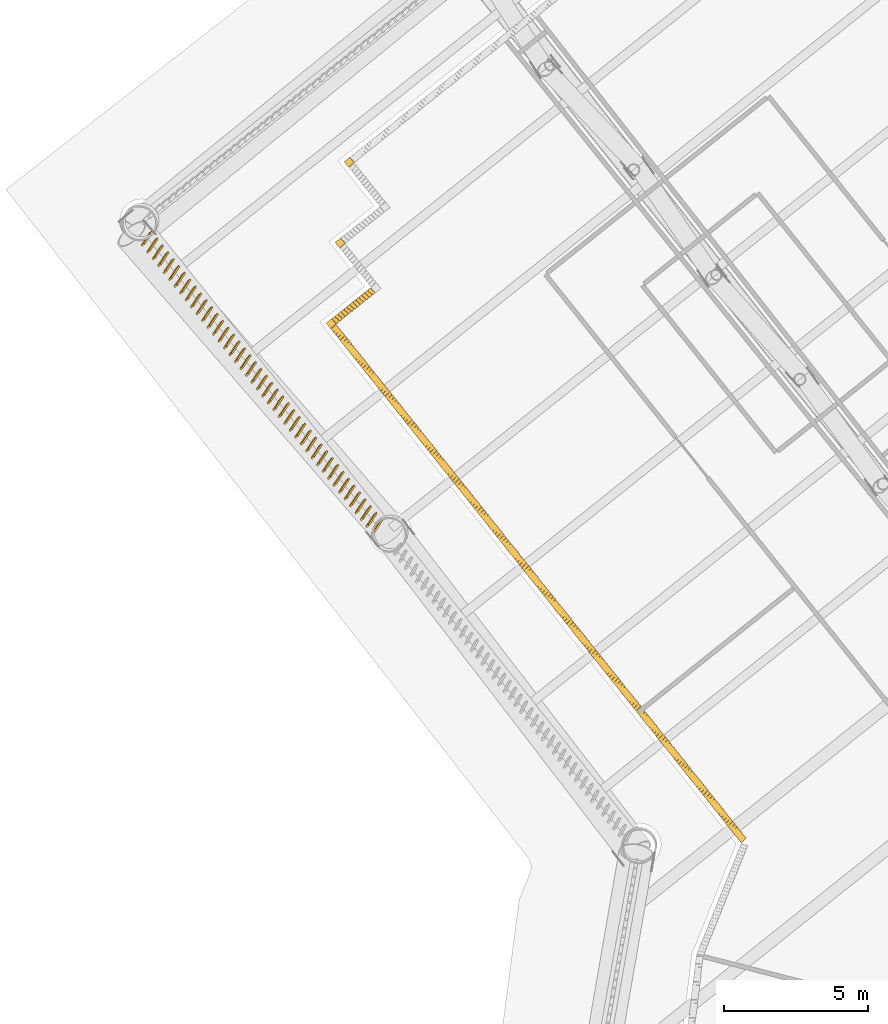
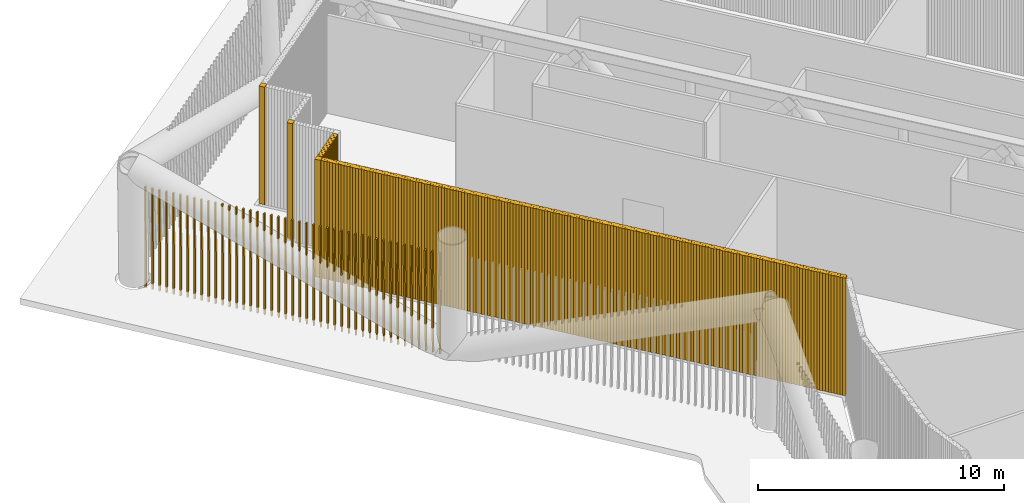
# One storey, part 44 of 48: 6 shading devices.
"""IFC4 building model written with IfcOpenShell, lengths in metres."""

from ifc_helpers import new_model, si_unit, direction, frame, frame_2d, origin, origin_2d, place, context, subcontext, project, spatial, rectangle, composite_profile, extrude, material, type_object, element, save


model = new_model("IFC4")

# Units and contexts
model_context = context("Model", 3, precision=1e-05, world=origin(), true_north=direction((0.0, 1.0)))
body_context = subcontext(model_context, "Body", "Model", "MODEL_VIEW")
ifc_project = project(units=[si_unit("LENGTHUNIT", "METRE"), si_unit("AREAUNIT", "SQUARE_METRE"), si_unit("VOLUMEUNIT", "CUBIC_METRE"), si_unit("PLANEANGLEUNIT", "RADIAN"), si_unit("MASSUNIT", "GRAM", prefix="KILO")], contexts=[model_context])

# Site, building, storey
site_placement = place(None, origin())
site = spatial("IfcSite", under=ifc_project, at=site_placement, CompositionType="ELEMENT")
building_placement = place(site_placement, origin())
building = spatial("IfcBuilding", under=site, at=building_placement, Name="Tarsis Ring Headquarters", CompositionType="ELEMENT")
storey_placement = place(building_placement, frame((0.0, 0.0, 34.0)))
storey = spatial("IfcBuildingStorey", under=building, at=storey_placement, Name="L06", CompositionType="ELEMENT", Elevation=34.0)

# Shading devices
ifc_material_1 = material(Name="Aluminium louvre", Category="aluminium")
shading_device_type_1 = type_object("IfcShadingDeviceType", Name="Plant louvre fin", PredefinedType="USERDEFINED", material=ifc_material_1)
shading_device_1_placement = place(storey_placement, frame((-37.822998046875, 28.345947265625, 0.0), z_axis=(0.0, 0.0, 1.0), x_axis=(0.623875001331, -0.781518601753, 0.0)))
element("IfcShadingDevice", 1, at=shading_device_1_placement, inside=storey, type_object=shading_device_type_1, Name="Louvre L06-01", ObjectType="Louvre", PredefinedType="USERDEFINED", context=body_context, shape_type="SweptSolid", body=[
    extrude(composite_profile([rectangle(XDim=0.1201171875, YDim=0.239990234375, at=frame_2d((0.076171875, 0.0), x_axis=(0.990268068742, 0.13917310096))), rectangle(XDim=0.1201171875, YDim=0.239990234375, at=frame_2d((0.201171875, 0.0), x_axis=(0.990268068742, 0.13917310096))), rectangle(XDim=0.1201171875, YDim=0.239990234375, at=frame_2d((0.326416015625, 0.0), x_axis=(0.990268068742, 0.13917310096))), rectangle(XDim=0.1201171875, YDim=0.239990234375, at=frame_2d((0.451416015625, 0.0), x_axis=(0.990268068742, 0.13917310096))), rectangle(XDim=0.1201171875, YDim=0.239990234375, at=frame_2d((0.57666015625, 0.0), x_axis=(0.990268068742, 0.13917310096))), rectangle(XDim=0.1201171875, YDim=0.239990234375, at=frame_2d((0.70166015625, 0.0), x_axis=(0.990268068742, 0.13917310096))), rectangle(XDim=0.1201171875, YDim=0.239990234375, at=frame_2d((0.826904296875, 0.0), x_axis=(0.990268068742, 0.13917310096))), rectangle(XDim=0.1201171875, YDim=0.239990234375, at=frame_2d((0.951904296875, 0.0), x_axis=(0.990268068742, 0.13917310096))), rectangle(XDim=0.1201171875, YDim=0.239990234375, at=frame_2d((1.0771484375, 0.0), x_axis=(0.990268068742, 0.13917310096))), rectangle(XDim=0.1201171875, YDim=0.239990234375, at=frame_2d((1.2021484375, 0.0), x_axis=(0.990268068742, 0.13917310096))), rectangle(XDim=0.1201171875, YDim=0.239990234375, at=frame_2d((1.3271484375, 0.0), x_axis=(0.990268068742, 0.13917310096))), rectangle(XDim=0.1201171875, YDim=0.239990234375, at=frame_2d((1.452392578125, 0.0), x_axis=(0.990268068742, 0.13917310096))), rectangle(XDim=0.1201171875, YDim=0.239990234375, at=frame_2d((1.577392578125, 0.0), x_axis=(0.990268068742, 0.13917310096))), rectangle(XDim=0.1201171875, YDim=0.239990234375, at=frame_2d((1.70263671875, 0.0), x_axis=(0.990268068742, 0.13917310096))), rectangle(XDim=0.1201171875, YDim=0.239990234375, at=frame_2d((1.82763671875, 0.0), x_axis=(0.990268068742, 0.13917310096))), rectangle(XDim=0.1201171875, YDim=0.239990234375, at=frame_2d((1.952880859375, 0.0), x_axis=(0.990268068742, 0.13917310096))), rectangle(XDim=0.1201171875, YDim=0.239990234375, at=frame_2d((2.077880859375, 0.0), x_axis=(0.990268068742, 0.13917310096))), rectangle(XDim=0.1201171875, YDim=0.239990234375, at=frame_2d((2.203125, 0.0), x_axis=(0.990268068742, 0.13917310096))), rectangle(XDim=0.1201171875, YDim=0.239990234375, at=frame_2d((2.328125, 0.0), x_axis=(0.990268068742, 0.13917310096))), rectangle(XDim=0.1201171875, YDim=0.239990234375, at=frame_2d((2.453125, 0.0), x_axis=(0.990268068742, 0.13917310096))), rectangle(XDim=0.1201171875, YDim=0.239990234375, at=frame_2d((2.578369140625, 0.0), x_axis=(0.990268068742, 0.13917310096))), rectangle(XDim=0.1201171875, YDim=0.239990234375, at=frame_2d((2.703369140625, 0.0), x_axis=(0.990268068742, 0.13917310096))), rectangle(XDim=0.1201171875, YDim=0.239990234375, at=frame_2d((2.82861328125, 0.0), x_axis=(0.990268068742, 0.13917310096))), rectangle(XDim=0.1201171875, YDim=0.239990234375, at=frame_2d((2.95361328125, 0.0), x_axis=(0.990268068742, 0.13917310096))), rectangle(XDim=0.1201171875, YDim=0.239990234375, at=frame_2d((3.078857421875, 0.0), x_axis=(0.990268068742, 0.13917310096))), rectangle(XDim=0.1201171875, YDim=0.239990234375, at=frame_2d((3.203857421875, 0.0), x_axis=(0.990268068742, 0.13917310096))), rectangle(XDim=0.1201171875, YDim=0.239990234375, at=frame_2d((3.3291015625, 0.0), x_axis=(0.990268068742, 0.13917310096))), rectangle(XDim=0.1201171875, YDim=0.239990234375, at=frame_2d((3.4541015625, 0.0), x_axis=(0.990268068742, 0.13917310096))), rectangle(XDim=0.1201171875, YDim=0.239990234375, at=frame_2d((3.5791015625, 0.0), x_axis=(0.990268068742, 0.13917310096))), rectangle(XDim=0.1201171875, YDim=0.239990234375, at=frame_2d((3.704345703125, 0.0), x_axis=(0.990268068742, 0.13917310096))), rectangle(XDim=0.1201171875, YDim=0.239990234375, at=frame_2d((3.829345703125, 0.0), x_axis=(0.990268068742, 0.13917310096))), rectangle(XDim=0.1201171875, YDim=0.239990234375, at=frame_2d((3.95458984375, 0.0), x_axis=(0.990268068742, 0.13917310096))), rectangle(XDim=0.1201171875, YDim=0.239990234375, at=frame_2d((4.07958984375, 0.0), x_axis=(0.990268068742, 0.13917310096))), rectangle(XDim=0.1201171875, YDim=0.239990234375, at=frame_2d((4.204833984375, 0.0), x_axis=(0.990268068742, 0.13917310096))), rectangle(XDim=0.1201171875, YDim=0.239990234375, at=frame_2d((4.329833984375, 0.0), x_axis=(0.990268068742, 0.13917310096))), rectangle(XDim=0.1201171875, YDim=0.239990234375, at=frame_2d((4.455078125, 0.0), x_axis=(0.990268068742, 0.13917310096))), rectangle(XDim=0.1201171875, YDim=0.239990234375, at=frame_2d((4.580078125, 0.0), x_axis=(0.990268068742, 0.13917310096))), rectangle(XDim=0.1201171875, YDim=0.239990234375, at=frame_2d((4.705078125, 0.0), x_axis=(0.990268068742, 0.13917310096))), rectangle(XDim=0.1201171875, YDim=0.239990234375, at=frame_2d((4.830322265625, 0.0), x_axis=(0.990268068742, 0.13917310096))), rectangle(XDim=0.1201171875, YDim=0.239990234375, at=frame_2d((4.955322265625, 0.0), x_axis=(0.990268068742, 0.13917310096))), rectangle(XDim=0.1201171875, YDim=0.239990234375, at=frame_2d((5.08056640625, 0.0), x_axis=(0.990268068742, 0.13917310096))), rectangle(XDim=0.1201171875, YDim=0.239990234375, at=frame_2d((5.20556640625, 0.0), x_axis=(0.990268068742, 0.13917310096))), rectangle(XDim=0.1201171875, YDim=0.239990234375, at=frame_2d((5.330810546875, 0.0), x_axis=(0.990268068742, 0.13917310096))), rectangle(XDim=0.1201171875, YDim=0.239990234375, at=frame_2d((5.455810546875, 0.0), x_axis=(0.990268068742, 0.13917310096))), rectangle(XDim=0.1201171875, YDim=0.239990234375, at=frame_2d((5.5810546875, 0.0), x_axis=(0.990268068742, 0.13917310096))), rectangle(XDim=0.1201171875, YDim=0.239990234375, at=frame_2d((5.7060546875, 0.0), x_axis=(0.990268068742, 0.13917310096))), rectangle(XDim=0.1201171875, YDim=0.239990234375, at=frame_2d((5.8310546875, 0.0), x_axis=(0.990268068742, 0.13917310096))), rectangle(XDim=0.1201171875, YDim=0.239990234375, at=frame_2d((5.956298828125, 0.0), x_axis=(0.990268068742, 0.13917310096))), rectangle(XDim=0.1201171875, YDim=0.239990234375, at=frame_2d((6.081298828125, 0.0), x_axis=(0.990268068742, 0.13917310096))), rectangle(XDim=0.1201171875, YDim=0.239990234375, at=frame_2d((6.20654296875, 0.0), x_axis=(0.990268068742, 0.13917310096))), rectangle(XDim=0.1201171875, YDim=0.239990234375, at=frame_2d((6.33154296875, 0.0), x_axis=(0.990268068742, 0.13917310096))), rectangle(XDim=0.1201171875, YDim=0.239990234375, at=frame_2d((6.456787109375, 0.0), x_axis=(0.990268068742, 0.13917310096))), rectangle(XDim=0.1201171875, YDim=0.239990234375, at=frame_2d((6.581787109375, 0.0), x_axis=(0.990268068742, 0.13917310096))), rectangle(XDim=0.1201171875, YDim=0.239990234375, at=frame_2d((6.70703125, 0.0), x_axis=(0.990268068742, 0.13917310096))), rectangle(XDim=0.1201171875, YDim=0.239990234375, at=frame_2d((6.83203125, 0.0), x_axis=(0.990268068742, 0.13917310096))), rectangle(XDim=0.1201171875, YDim=0.239990234375, at=frame_2d((6.95703125, 0.0), x_axis=(0.990268068742, 0.13917310096))), rectangle(XDim=0.1201171875, YDim=0.239990234375, at=frame_2d((7.082275390625, 0.0), x_axis=(0.990268068742, 0.13917310096))), rectangle(XDim=0.1201171875, YDim=0.239990234375, at=frame_2d((7.207275390625, 0.0), x_axis=(0.990268068742, 0.13917310096))), rectangle(XDim=0.1201171875, YDim=0.239990234375, at=frame_2d((7.33251953125, 0.0), x_axis=(0.990268068742, 0.13917310096))), rectangle(XDim=0.1201171875, YDim=0.239990234375, at=frame_2d((7.45751953125, 0.0), x_axis=(0.990268068742, 0.13917310096))), rectangle(XDim=0.1201171875, YDim=0.239990234375, at=frame_2d((7.582763671875, 0.0), x_axis=(0.990268068742, 0.13917310096))), rectangle(XDim=0.1201171875, YDim=0.239990234375, at=frame_2d((7.707763671875, 0.0), x_axis=(0.990268068742, 0.13917310096))), rectangle(XDim=0.1201171875, YDim=0.239990234375, at=frame_2d((7.8330078125, 0.0), x_axis=(0.990268068742, 0.13917310096))), rectangle(XDim=0.1201171875, YDim=0.239990234375, at=frame_2d((7.9580078125, 0.0), x_axis=(0.990268068742, 0.13917310096))), rectangle(XDim=0.1201171875, YDim=0.239990234375, at=frame_2d((8.0830078125, 0.0), x_axis=(0.990268068742, 0.13917310096))), rectangle(XDim=0.1201171875, YDim=0.239990234375, at=frame_2d((8.208251953125, 0.0), x_axis=(0.990268068742, 0.13917310096))), rectangle(XDim=0.1201171875, YDim=0.239990234375, at=frame_2d((8.333251953125, 0.0), x_axis=(0.990268068742, 0.13917310096))), rectangle(XDim=0.1201171875, YDim=0.239990234375, at=frame_2d((8.45849609375, 0.0), x_axis=(0.990268068742, 0.13917310096))), rectangle(XDim=0.1201171875, YDim=0.239990234375, at=frame_2d((8.58349609375, 0.0), x_axis=(0.990268068742, 0.13917310096))), rectangle(XDim=0.1201171875, YDim=0.239990234375, at=frame_2d((8.708740234375, 0.0), x_axis=(0.990268068742, 0.13917310096))), rectangle(XDim=0.1201171875, YDim=0.239990234375, at=frame_2d((8.833740234375, 0.0), x_axis=(0.990268068742, 0.13917310096))), rectangle(XDim=0.1201171875, YDim=0.239990234375, at=frame_2d((8.958984375, 0.0), x_axis=(0.990268068742, 0.13917310096))), rectangle(XDim=0.1201171875, YDim=0.239990234375, at=frame_2d((9.083984375, 0.0), x_axis=(0.990268068742, 0.13917310096))), rectangle(XDim=0.1201171875, YDim=0.239990234375, at=frame_2d((9.208984375, 0.0), x_axis=(0.990268068742, 0.13917310096))), rectangle(XDim=0.1201171875, YDim=0.239990234375, at=frame_2d((9.334228515625, 0.0), x_axis=(0.990268068742, 0.13917310096))), rectangle(XDim=0.1201171875, YDim=0.239990234375, at=frame_2d((9.459228515625, 0.0), x_axis=(0.990268068742, 0.13917310096))), rectangle(XDim=0.1201171875, YDim=0.239990234375, at=frame_2d((9.58447265625, 0.0), x_axis=(0.990268068742, 0.13917310096))), rectangle(XDim=0.1201171875, YDim=0.239990234375, at=frame_2d((9.70947265625, 0.0), x_axis=(0.990268068742, 0.13917310096))), rectangle(XDim=0.1201171875, YDim=0.239990234375, at=frame_2d((9.834716796875, 0.0), x_axis=(0.990268068742, 0.13917310096))), rectangle(XDim=0.1201171875, YDim=0.239990234375, at=frame_2d((9.959716796875, 0.0), x_axis=(0.990268068742, 0.13917310096))), rectangle(XDim=0.1201171875, YDim=0.239990234375, at=frame_2d((10.0849609375, 0.0), x_axis=(0.990268068742, 0.13917310096))), rectangle(XDim=0.1201171875, YDim=0.239990234375, at=frame_2d((10.2099609375, 0.0), x_axis=(0.990268068742, 0.13917310096))), rectangle(XDim=0.1201171875, YDim=0.239990234375, at=frame_2d((10.3349609375, 0.0), x_axis=(0.990268068742, 0.13917310096))), rectangle(XDim=0.1201171875, YDim=0.239990234375, at=frame_2d((10.460205078125, 0.0), x_axis=(0.990268068742, 0.13917310096))), rectangle(XDim=0.1201171875, YDim=0.239990234375, at=frame_2d((10.585205078125, 0.0), x_axis=(0.990268068742, 0.13917310096))), rectangle(XDim=0.1201171875, YDim=0.239990234375, at=frame_2d((10.71044921875, 0.0), x_axis=(0.990268068742, 0.13917310096))), rectangle(XDim=0.1201171875, YDim=0.239990234375, at=frame_2d((10.83544921875, 0.0), x_axis=(0.990268068742, 0.13917310096))), rectangle(XDim=0.1201171875, YDim=0.239990234375, at=frame_2d((10.960693359375, 0.0), x_axis=(0.990268068742, 0.13917310096))), rectangle(XDim=0.1201171875, YDim=0.239990234375, at=frame_2d((11.085693359375, 0.0), x_axis=(0.990268068742, 0.13917310096))), rectangle(XDim=0.1201171875, YDim=0.239990234375, at=frame_2d((11.2109375, 0.0), x_axis=(0.990268068742, 0.13917310096))), rectangle(XDim=0.1201171875, YDim=0.239990234375, at=frame_2d((11.3359375, 0.0), x_axis=(0.990268068742, 0.13917310096))), rectangle(XDim=0.1201171875, YDim=0.239990234375, at=frame_2d((11.4609375, 0.0), x_axis=(0.990268068742, 0.13917310096))), rectangle(XDim=0.1201171875, YDim=0.239990234375, at=frame_2d((11.586181640625, 0.0), x_axis=(0.990268068742, 0.13917310096))), rectangle(XDim=0.1201171875, YDim=0.239990234375, at=frame_2d((11.711181640625, 0.0), x_axis=(0.990268068742, 0.13917310096))), rectangle(XDim=0.1201171875, YDim=0.239990234375, at=frame_2d((11.83642578125, 0.0), x_axis=(0.990268068742, 0.13917310096))), rectangle(XDim=0.1201171875, YDim=0.239990234375, at=frame_2d((11.96142578125, 0.0), x_axis=(0.990268068742, 0.13917310096))), rectangle(XDim=0.1201171875, YDim=0.239990234375, at=frame_2d((12.086669921875, 0.0), x_axis=(0.990268068742, 0.13917310096))), rectangle(XDim=0.1201171875, YDim=0.239990234375, at=frame_2d((12.211669921875, 0.0), x_axis=(0.990268068742, 0.13917310096))), rectangle(XDim=0.1201171875, YDim=0.239990234375, at=frame_2d((12.3369140625, 0.0), x_axis=(0.990268068742, 0.13917310096))), rectangle(XDim=0.1201171875, YDim=0.239990234375, at=frame_2d((12.4619140625, 0.0), x_axis=(0.990268068742, 0.13917310096))), rectangle(XDim=0.1201171875, YDim=0.239990234375, at=frame_2d((12.587158203125, 0.0), x_axis=(0.990268068742, 0.13917310096))), rectangle(XDim=0.1201171875, YDim=0.239990234375, at=frame_2d((12.712158203125, 0.0), x_axis=(0.990268068742, 0.13917310096))), rectangle(XDim=0.1201171875, YDim=0.239990234375, at=frame_2d((12.837158203125, 0.0), x_axis=(0.990268068742, 0.13917310096))), rectangle(XDim=0.1201171875, YDim=0.239990234375, at=frame_2d((12.96240234375, 0.0), x_axis=(0.990268068742, 0.13917310096))), rectangle(XDim=0.1201171875, YDim=0.239990234375, at=frame_2d((13.08740234375, 0.0), x_axis=(0.990268068742, 0.13917310096))), rectangle(XDim=0.1201171875, YDim=0.239990234375, at=frame_2d((13.212646484375, 0.0), x_axis=(0.990268068742, 0.13917310096))), rectangle(XDim=0.1201171875, YDim=0.239990234375, at=frame_2d((13.337646484375, 0.0), x_axis=(0.990268068742, 0.13917310096))), rectangle(XDim=0.1201171875, YDim=0.239990234375, at=frame_2d((13.462890625, 0.0), x_axis=(0.990268068742, 0.13917310096))), rectangle(XDim=0.1201171875, YDim=0.239990234375, at=frame_2d((13.587890625, 0.0), x_axis=(0.990268068742, 0.13917310096))), rectangle(XDim=0.1201171875, YDim=0.239990234375, at=frame_2d((13.713134765625, 0.0), x_axis=(0.990268068742, 0.13917310096))), rectangle(XDim=0.1201171875, YDim=0.239990234375, at=frame_2d((13.838134765625, 0.0), x_axis=(0.990268068742, 0.13917310096))), rectangle(XDim=0.1201171875, YDim=0.239990234375, at=frame_2d((13.963134765625, 0.0), x_axis=(0.990268068742, 0.13917310096))), rectangle(XDim=0.1201171875, YDim=0.239990234375, at=frame_2d((14.08837890625, 0.0), x_axis=(0.990268068742, 0.13917310096))), rectangle(XDim=0.1201171875, YDim=0.239990234375, at=frame_2d((14.21337890625, 0.0), x_axis=(0.990268068742, 0.13917310096))), rectangle(XDim=0.1201171875, YDim=0.239990234375, at=frame_2d((14.338623046875, 0.0), x_axis=(0.990268068742, 0.13917310096))), rectangle(XDim=0.1201171875, YDim=0.239990234375, at=frame_2d((14.463623046875, 0.0), x_axis=(0.990268068742, 0.13917310096))), rectangle(XDim=0.1201171875, YDim=0.239990234375, at=frame_2d((14.5888671875, 0.0), x_axis=(0.990268068742, 0.13917310096))), rectangle(XDim=0.1201171875, YDim=0.239990234375, at=frame_2d((14.7138671875, 0.0), x_axis=(0.990268068742, 0.13917310096))), rectangle(XDim=0.1201171875, YDim=0.239990234375, at=frame_2d((14.839111328125, 0.0), x_axis=(0.990268068742, 0.13917310096))), rectangle(XDim=0.1201171875, YDim=0.239990234375, at=frame_2d((14.964111328125, 0.0), x_axis=(0.990268068742, 0.13917310096))), rectangle(XDim=0.1201171875, YDim=0.239990234375, at=frame_2d((15.089111328125, 0.0), x_axis=(0.990268068742, 0.13917310096))), rectangle(XDim=0.1201171875, YDim=0.239990234375, at=frame_2d((15.21435546875, 0.0), x_axis=(0.990268068742, 0.13917310096))), rectangle(XDim=0.1201171875, YDim=0.239990234375, at=frame_2d((15.33935546875, 0.0), x_axis=(0.990268068742, 0.13917310096))), rectangle(XDim=0.1201171875, YDim=0.239990234375, at=frame_2d((15.464599609375, 0.0), x_axis=(0.990268068742, 0.13917310096))), rectangle(XDim=0.1201171875, YDim=0.239990234375, at=frame_2d((15.589599609375, 0.0), x_axis=(0.990268068742, 0.13917310096))), rectangle(XDim=0.1201171875, YDim=0.239990234375, at=frame_2d((15.71484375, 0.0), x_axis=(0.990268068742, 0.13917310096))), rectangle(XDim=0.1201171875, YDim=0.239990234375, at=frame_2d((15.83984375, 0.0), x_axis=(0.990268068742, 0.13917310096))), rectangle(XDim=0.1201171875, YDim=0.239990234375, at=frame_2d((15.965087890625, 0.0), x_axis=(0.990268068742, 0.13917310096))), rectangle(XDim=0.1201171875, YDim=0.239990234375, at=frame_2d((16.090087890625, 0.0), x_axis=(0.990268068742, 0.13917310096))), rectangle(XDim=0.1201171875, YDim=0.239990234375, at=frame_2d((16.215087890625, 0.0), x_axis=(0.990268068742, 0.13917310096))), rectangle(XDim=0.1201171875, YDim=0.239990234375, at=frame_2d((16.34033203125, 0.0), x_axis=(0.990268068742, 0.13917310096))), rectangle(XDim=0.1201171875, YDim=0.239990234375, at=frame_2d((16.46533203125, 0.0), x_axis=(0.990268068742, 0.13917310096))), rectangle(XDim=0.1201171875, YDim=0.239990234375, at=frame_2d((16.590576171875, 0.0), x_axis=(0.990268068742, 0.13917310096))), rectangle(XDim=0.1201171875, YDim=0.239990234375, at=frame_2d((16.715576171875, 0.0), x_axis=(0.990268068742, 0.13917310096))), rectangle(XDim=0.1201171875, YDim=0.239990234375, at=frame_2d((16.8408203125, 0.0), x_axis=(0.990268068742, 0.13917310096))), rectangle(XDim=0.1201171875, YDim=0.239990234375, at=frame_2d((16.9658203125, 0.0), x_axis=(0.990268068742, 0.13917310096))), rectangle(XDim=0.1201171875, YDim=0.239990234375, at=frame_2d((17.091064453125, 0.0), x_axis=(0.990268068742, 0.13917310096))), rectangle(XDim=0.1201171875, YDim=0.239990234375, at=frame_2d((17.216064453125, 0.0), x_axis=(0.990268068742, 0.13917310096))), rectangle(XDim=0.1201171875, YDim=0.239990234375, at=frame_2d((17.341064453125, 0.0), x_axis=(0.990268068742, 0.13917310096))), rectangle(XDim=0.1201171875, YDim=0.239990234375, at=frame_2d((17.46630859375, 0.0), x_axis=(0.990268068742, 0.13917310096))), rectangle(XDim=0.1201171875, YDim=0.239990234375, at=frame_2d((17.59130859375, 0.0), x_axis=(0.990268068742, 0.13917310096))), rectangle(XDim=0.1201171875, YDim=0.239990234375, at=frame_2d((17.716552734375, 0.0), x_axis=(0.990268068742, 0.13917310096))), rectangle(XDim=0.1201171875, YDim=0.239990234375, at=frame_2d((17.841552734375, 0.0), x_axis=(0.990268068742, 0.13917310096))), rectangle(XDim=0.1201171875, YDim=0.239990234375, at=frame_2d((17.966796875, 0.0), x_axis=(0.990268068742, 0.13917310096))), rectangle(XDim=0.1201171875, YDim=0.239990234375, at=frame_2d((18.091796875, 0.0), x_axis=(0.990268068742, 0.13917310096))), rectangle(XDim=0.1201171875, YDim=0.239990234375, at=frame_2d((18.217041015625, 0.0), x_axis=(0.990268068742, 0.13917310096))), rectangle(XDim=0.1201171875, YDim=0.239990234375, at=frame_2d((18.342041015625, 0.0), x_axis=(0.990268068742, 0.13917310096))), rectangle(XDim=0.1201171875, YDim=0.239990234375, at=frame_2d((18.467041015625, 0.0), x_axis=(0.990268068742, 0.13917310096))), rectangle(XDim=0.1201171875, YDim=0.239990234375, at=frame_2d((18.59228515625, 0.0), x_axis=(0.990268068742, 0.13917310096))), rectangle(XDim=0.1201171875, YDim=0.239990234375, at=frame_2d((18.71728515625, 0.0), x_axis=(0.990268068742, 0.13917310096))), rectangle(XDim=0.1201171875, YDim=0.239990234375, at=frame_2d((18.842529296875, 0.0), x_axis=(0.990268068742, 0.13917310096))), rectangle(XDim=0.1201171875, YDim=0.239990234375, at=frame_2d((18.967529296875, 0.0), x_axis=(0.990268068742, 0.13917310096))), rectangle(XDim=0.1201171875, YDim=0.239990234375, at=frame_2d((19.0927734375, 0.0), x_axis=(0.990268068742, 0.13917310096))), rectangle(XDim=0.1201171875, YDim=0.239990234375, at=frame_2d((19.2177734375, 0.0), x_axis=(0.990268068742, 0.13917310096))), rectangle(XDim=0.1201171875, YDim=0.239990234375, at=frame_2d((19.343017578125, 0.0), x_axis=(0.990268068742, 0.13917310096))), rectangle(XDim=0.1201171875, YDim=0.239990234375, at=frame_2d((19.468017578125, 0.0), x_axis=(0.990268068742, 0.13917310096))), rectangle(XDim=0.1201171875, YDim=0.239990234375, at=frame_2d((19.593017578125, 0.0), x_axis=(0.990268068742, 0.13917310096))), rectangle(XDim=0.1201171875, YDim=0.239990234375, at=frame_2d((19.71826171875, 0.0), x_axis=(0.990268068742, 0.13917310096))), rectangle(XDim=0.1201171875, YDim=0.239990234375, at=frame_2d((19.84326171875, 0.0), x_axis=(0.990268068742, 0.13917310096))), rectangle(XDim=0.1201171875, YDim=0.239990234375, at=frame_2d((19.968505859375, 0.0), x_axis=(0.990268068742, 0.13917310096))), rectangle(XDim=0.1201171875, YDim=0.239990234375, at=frame_2d((20.093505859375, 0.0), x_axis=(0.990268068742, 0.13917310096))), rectangle(XDim=0.1201171875, YDim=0.239990234375, at=frame_2d((20.21875, 0.0), x_axis=(0.990268068742, 0.13917310096))), rectangle(XDim=0.1201171875, YDim=0.239990234375, at=frame_2d((20.34375, 0.0), x_axis=(0.990268068742, 0.13917310096))), rectangle(XDim=0.1201171875, YDim=0.239990234375, at=frame_2d((20.468994140625, 0.0), x_axis=(0.990268068742, 0.13917310096))), rectangle(XDim=0.1201171875, YDim=0.239990234375, at=frame_2d((20.593994140625, 0.0), x_axis=(0.990268068742, 0.13917310096))), rectangle(XDim=0.1201171875, YDim=0.239990234375, at=frame_2d((20.718994140625, 0.0), x_axis=(0.990268068742, 0.13917310096))), rectangle(XDim=0.1201171875, YDim=0.239990234375, at=frame_2d((20.84423828125, 0.0), x_axis=(0.990268068742, 0.13917310096))), rectangle(XDim=0.1201171875, YDim=0.239990234375, at=frame_2d((20.96923828125, 0.0), x_axis=(0.990268068742, 0.13917310096))), rectangle(XDim=0.1201171875, YDim=0.239990234375, at=frame_2d((21.094482421875, 0.0), x_axis=(0.990268068742, 0.13917310096))), rectangle(XDim=0.1201171875, YDim=0.239990234375, at=frame_2d((21.219482421875, 0.0), x_axis=(0.990268068742, 0.13917310096))), rectangle(XDim=0.1201171875, YDim=0.239990234375, at=frame_2d((21.3447265625, 0.0), x_axis=(0.990268068742, 0.13917310096))), rectangle(XDim=0.1201171875, YDim=0.239990234375, at=frame_2d((21.4697265625, 0.0), x_axis=(0.990268068742, 0.13917310096))), rectangle(XDim=0.1201171875, YDim=0.239990234375, at=frame_2d((21.594970703125, 0.0), x_axis=(0.990268068742, 0.13917310096))), rectangle(XDim=0.1201171875, YDim=0.239990234375, at=frame_2d((21.719970703125, 0.0), x_axis=(0.990268068742, 0.13917310096))), rectangle(XDim=0.1201171875, YDim=0.239990234375, at=frame_2d((21.844970703125, 0.0), x_axis=(0.990268068742, 0.13917310096))), rectangle(XDim=0.1201171875, YDim=0.239990234375, at=frame_2d((21.97021484375, 0.0), x_axis=(0.990268068742, 0.13917310096))), rectangle(XDim=0.1201171875, YDim=0.239990234375, at=frame_2d((22.09521484375, 0.0), x_axis=(0.990268068742, 0.13917310096))), rectangle(XDim=0.1201171875, YDim=0.239990234375, at=frame_2d((22.220458984375, 0.0), x_axis=(0.990268068742, 0.13917310096))), rectangle(XDim=0.1201171875, YDim=0.239990234375, at=frame_2d((22.345458984375, 0.0), x_axis=(0.990268068742, 0.13917310096))), rectangle(XDim=0.1201171875, YDim=0.239990234375, at=frame_2d((22.470703125, 0.0), x_axis=(0.990268068742, 0.13917310096))), rectangle(XDim=0.1201171875, YDim=0.239990234375, at=frame_2d((22.595703125, 0.0), x_axis=(0.990268068742, 0.13917310096))), rectangle(XDim=0.1201171875, YDim=0.239990234375, at=frame_2d((22.720947265625, 0.0), x_axis=(0.990268068742, 0.13917310096))), rectangle(XDim=0.1201171875, YDim=0.239990234375, at=frame_2d((22.845947265625, 0.0), x_axis=(0.990268068742, 0.13917310096)))]), origin(), (0.0, 0.0, 1.0), 5.840087890625),
])
shading_device_2_placement = place(storey_placement, frame((-36.435791015625, 29.613525390625, 0.0), z_axis=(0.0, 0.0, 1.0), x_axis=(-0.781498534952, -0.623970978094, 0.0)))
element("IfcShadingDevice", 2, at=shading_device_2_placement, inside=storey, type_object=shading_device_type_1, Name="Louvre L06-40", ObjectType="Louvre", PredefinedType="USERDEFINED", context=body_context, shape_type="SweptSolid", body=[
    extrude(composite_profile([rectangle(XDim=0.1201171875, YDim=0.239990234375, at=frame_2d((0.078125, 0.0), x_axis=(0.987688340595, 0.15643446504))), rectangle(XDim=0.1201171875, YDim=0.239990234375, at=frame_2d((0.2109375, 0.0), x_axis=(0.987688340595, 0.15643446504))), rectangle(XDim=0.1201171875, YDim=0.239990234375, at=frame_2d((0.34375, 0.0), x_axis=(0.987688340595, 0.15643446504))), rectangle(XDim=0.1201171875, YDim=0.239990234375, at=frame_2d((0.4765625, 0.0), x_axis=(0.987688340595, 0.15643446504))), rectangle(XDim=0.1201171875, YDim=0.239990234375, at=frame_2d((0.609375, 0.0), x_axis=(0.987688340595, 0.15643446504))), rectangle(XDim=0.1201171875, YDim=0.239990234375, at=frame_2d((0.7421875, 0.0), x_axis=(0.987688340595, 0.15643446504))), rectangle(XDim=0.1201171875, YDim=0.239990234375, at=frame_2d((0.875, 0.0), x_axis=(0.987688340595, 0.15643446504))), rectangle(XDim=0.1201171875, YDim=0.239990234375, at=frame_2d((1.0078125, 0.0), x_axis=(0.987688340595, 0.15643446504))), rectangle(XDim=0.1201171875, YDim=0.239990234375, at=frame_2d((1.140625, 0.0), x_axis=(0.987688340595, 0.15643446504))), rectangle(XDim=0.1201171875, YDim=0.239990234375, at=frame_2d((1.2734375, 0.0), x_axis=(0.987688340595, 0.15643446504))), rectangle(XDim=0.1201171875, YDim=0.239990234375, at=frame_2d((1.40625, 0.0), x_axis=(0.987688340595, 0.15643446504))), rectangle(XDim=0.1201171875, YDim=0.239990234375, at=frame_2d((1.5390625, 0.0), x_axis=(0.987688340595, 0.15643446504))), rectangle(XDim=0.1201171875, YDim=0.239990234375, at=frame_2d((1.671875, 0.0), x_axis=(0.987688340595, 0.15643446504)))]), origin(), (0.0, 0.0, 1.0), 5.840087890625),
])
ifc_material_2 = material(Name="Terracotta baguette", Category="masonry")
shading_device_type_2 = type_object("IfcShadingDeviceType", Name="Terracotta baguette screen", PredefinedType="USERDEFINED", material=ifc_material_2)
shading_device_3_placement = place(storey_placement, frame((-44.1953125, 31.64013671875, -0.300048828125), z_axis=(0.0, 0.0, 1.0), x_axis=(0.623864668483, -0.781524371783, 0.0)))
element("IfcShadingDevice", 3, at=shading_device_3_placement, inside=storey, type_object=shading_device_type_2, Name="Baguette screen L06-19", ObjectType="Terracotta baguette screen", PredefinedType="USERDEFINED", context=body_context, shape_type="SweptSolid", body=[
    extrude(composite_profile([rectangle(XDim=0.06005859375, YDim=0.1201171875, at=frame_2d((0.030029296875, 0.0))), rectangle(XDim=0.06005859375, YDim=0.1201171875, at=frame_2d((0.335693359375, 0.0))), rectangle(XDim=0.06005859375, YDim=0.1201171875, at=frame_2d((0.6416015625, 0.0))), rectangle(XDim=0.06005859375, YDim=0.1201171875, at=frame_2d((0.947265625, 0.0))), rectangle(XDim=0.06005859375, YDim=0.1201171875, at=frame_2d((1.253173828125, 0.0))), rectangle(XDim=0.06005859375, YDim=0.1201171875, at=frame_2d((1.558837890625, 0.0))), rectangle(XDim=0.06005859375, YDim=0.1201171875, at=frame_2d((1.864501953125, 0.0))), rectangle(XDim=0.06005859375, YDim=0.1201171875, at=frame_2d((2.17041015625, 0.0))), rectangle(XDim=0.06005859375, YDim=0.1201171875, at=frame_2d((2.47607421875, 0.0))), rectangle(XDim=0.06005859375, YDim=0.1201171875, at=frame_2d((2.781982421875, 0.0))), rectangle(XDim=0.06005859375, YDim=0.1201171875, at=frame_2d((3.087646484375, 0.0))), rectangle(XDim=0.06005859375, YDim=0.1201171875, at=frame_2d((3.393310546875, 0.0))), rectangle(XDim=0.06005859375, YDim=0.1201171875, at=frame_2d((3.69921875, 0.0))), rectangle(XDim=0.06005859375, YDim=0.1201171875, at=frame_2d((4.0048828125, 0.0))), rectangle(XDim=0.06005859375, YDim=0.1201171875, at=frame_2d((4.310791015625, 0.0))), rectangle(XDim=0.06005859375, YDim=0.1201171875, at=frame_2d((4.616455078125, 0.0))), rectangle(XDim=0.06005859375, YDim=0.1201171875, at=frame_2d((4.922119140625, 0.0))), rectangle(XDim=0.06005859375, YDim=0.1201171875, at=frame_2d((5.22802734375, 0.0))), rectangle(XDim=0.06005859375, YDim=0.1201171875, at=frame_2d((5.53369140625, 0.0))), rectangle(XDim=0.06005859375, YDim=0.1201171875, at=frame_2d((5.839599609375, 0.0))), rectangle(XDim=0.06005859375, YDim=0.1201171875, at=frame_2d((6.145263671875, 0.0))), rectangle(XDim=0.06005859375, YDim=0.1201171875, at=frame_2d((6.451171875, 0.0))), rectangle(XDim=0.06005859375, YDim=0.1201171875, at=frame_2d((6.7568359375, 0.0))), rectangle(XDim=0.06005859375, YDim=0.1201171875, at=frame_2d((7.0625, 0.0))), rectangle(XDim=0.06005859375, YDim=0.1201171875, at=frame_2d((7.368408203125, 0.0))), rectangle(XDim=0.06005859375, YDim=0.1201171875, at=frame_2d((7.674072265625, 0.0))), rectangle(XDim=0.06005859375, YDim=0.1201171875, at=frame_2d((7.97998046875, 0.0))), rectangle(XDim=0.06005859375, YDim=0.1201171875, at=frame_2d((8.28564453125, 0.0))), rectangle(XDim=0.06005859375, YDim=0.1201171875, at=frame_2d((8.59130859375, 0.0))), rectangle(XDim=0.06005859375, YDim=0.1201171875, at=frame_2d((8.897216796875, 0.0))), rectangle(XDim=0.06005859375, YDim=0.1201171875, at=frame_2d((9.202880859375, 0.0))), rectangle(XDim=0.06005859375, YDim=0.1201171875, at=frame_2d((9.5087890625, 0.0))), rectangle(XDim=0.06005859375, YDim=0.1201171875, at=frame_2d((9.814453125, 0.0))), rectangle(XDim=0.06005859375, YDim=0.1201171875, at=frame_2d((10.1201171875, 0.0))), rectangle(XDim=0.06005859375, YDim=0.1201171875, at=frame_2d((10.426025390625, 0.0))), rectangle(XDim=0.06005859375, YDim=0.1201171875, at=frame_2d((10.731689453125, 0.0))), rectangle(XDim=0.06005859375, YDim=0.1201171875, at=frame_2d((11.03759765625, 0.0))), rectangle(XDim=0.06005859375, YDim=0.1201171875, at=frame_2d((11.34326171875, 0.0))), rectangle(XDim=0.06005859375, YDim=0.1201171875, at=frame_2d((11.64892578125, 0.0))), rectangle(XDim=0.06005859375, YDim=0.1201171875, at=frame_2d((11.954833984375, 0.0))), rectangle(XDim=0.06005859375, YDim=0.1201171875, at=frame_2d((12.260498046875, 0.0))), rectangle(XDim=0.06005859375, YDim=0.1201171875, at=frame_2d((12.56640625, 0.0))), rectangle(XDim=0.06005859375, YDim=0.1201171875, at=frame_2d((12.8720703125, 0.0)))]), origin(), (0.029295730346, -0.089151743344, 0.995587126696), 5.376220703125),
])
shading_device_type_3 = type_object("IfcShadingDeviceType", Name="Terracotta corner baguette 250x250", PredefinedType="USERDEFINED", material=ifc_material_2)
for number, where, z_axis, x_axis, name in (
    (4, (-37.901123046875, 28.443603515625, 0.0), (0.0, 0.0, 1.0), (-0.781520526863, -0.623879528509, 0.0), "Corner baguette L06-01"),
    (5, (-37.2705078125, 34.065185546875, 0.0), (0.0, 0.0, 1.0), (-0.781520505085, -0.623879555789, 0.0), "Corner baguette L06-37"),
    (6, (-37.585693359375, 31.25439453125, 0.0), (0.0, 0.0, 1.0), (-0.781520091312, -0.623880074113, 0.0), "Corner baguette L06-39"),
):
    element("IfcShadingDevice", number, at=place(storey_placement, frame(where, z_axis=z_axis, x_axis=x_axis)), inside=storey, type_object=shading_device_type_3, Name=name, ObjectType="Terracotta corner baguette", PredefinedType="USERDEFINED", context=body_context, shape_type="SweptSolid", body=[
        extrude(rectangle(XDim=0.25, YDim=0.25, at=origin_2d()), origin(), (0.0, 0.0, 1.0), 5.840087890625),
    ])

save(model, "model.ifc")
